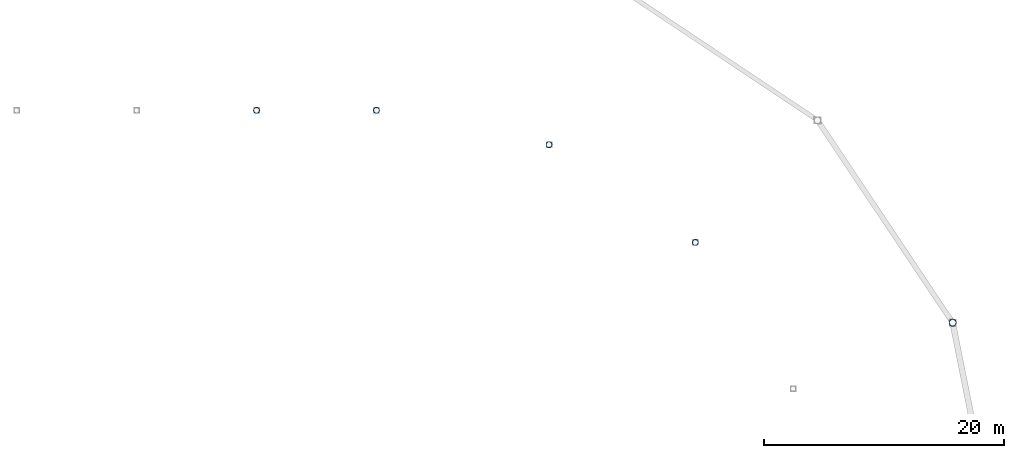
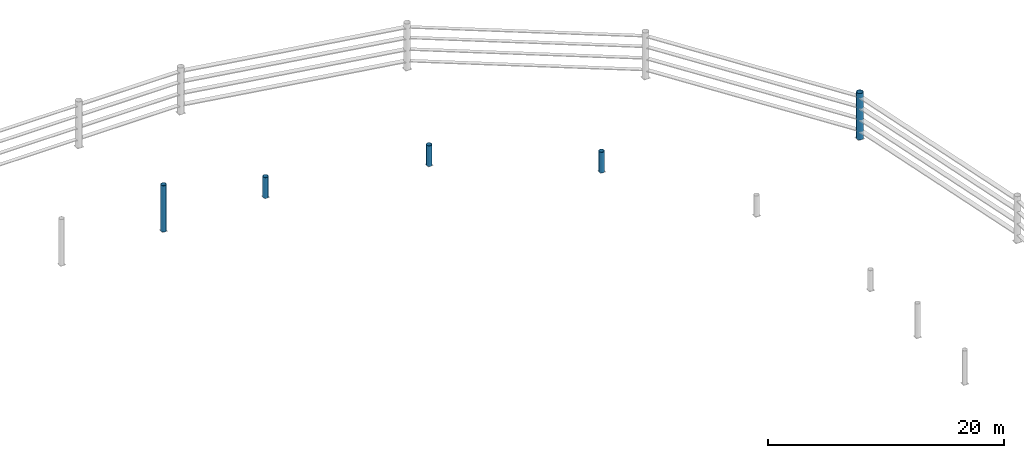
# One storey, part 13 of 29: 5 columns.
"""IFC4 building model written with IfcOpenShell, lengths in metres."""

from ifc_helpers import new_model, si_unit, direction, frame, origin, origin_2d, place, context, subcontext, project, spatial, hollow_circle, extrude, material, material_profile, profile_set, type_object, element, save


model = new_model("IFC4")

# Units and contexts
model_context = context("Model", 3, precision=1e-05, world=origin(), true_north=direction((0.0, 1.0)))
body_context = subcontext(model_context, "Body", "Model", "MODEL_VIEW")
ifc_project = project(units=[si_unit("LENGTHUNIT", "METRE"), si_unit("AREAUNIT", "SQUARE_METRE"), si_unit("VOLUMEUNIT", "CUBIC_METRE"), si_unit("PLANEANGLEUNIT", "RADIAN"), si_unit("MASSUNIT", "GRAM", prefix="KILO")], contexts=[model_context])

# Site, building, storey
site_placement = place(None, origin())
site = spatial("IfcSite", under=ifc_project, at=site_placement, CompositionType="ELEMENT")
building_placement = place(site_placement, origin())
building = spatial("IfcBuilding", under=site, at=building_placement, Name="Candeia Ridge Stadium", CompositionType="ELEMENT")
storey_placement = place(building_placement, frame((0.0, 0.0, 27.0)))
storey = spatial("IfcBuildingStorey", under=building, at=storey_placement, Name="L05", CompositionType="ELEMENT", Elevation=27.0)

# Columns
ifc_material = material(Name="Steel ASTM A572 Grade 50", Category="steel")
ifc_material_profile_1 = material_profile(ifc_material, hollow_circle(Radius=0.25390625, WallThickness=0.02197265625, at=origin_2d()), Name="CHS508x22", Category="steel")
ifc_profile_set_1 = profile_set([ifc_material_profile_1], Name="Steel ASTM A572 Grade 50")
column_type_1 = type_object("IfcColumnType", Name="Roof Inner Mast CHS508x22", PredefinedType="PILASTER", material=ifc_profile_set_1)
column_1_placement = place(storey_placement, frame((141.0, 132.60009765625, 0.0), z_axis=(0.0, 0.0, 1.0), x_axis=(1.0, 0.0, 0.0)))
element("IfcColumn", 1, at=column_1_placement, inside=storey, type_object=column_type_1, Name="Roof truss steel mast column BC-MD-00 L05", PredefinedType="PILASTER", context=body_context, shape_type="SweptSolid", body=[
    extrude(hollow_circle(Radius=0.25390625, WallThickness=0.02197265625, at=origin_2d()), origin(), (0.0, 0.0, 1.0), 2.135986328125),
])
column_2_placement = place(storey_placement, frame((131.0, 132.60009765625, 0.0), z_axis=(0.0, 0.0, 1.0), x_axis=(1.0, 0.0, 0.0)))
element("IfcColumn", 2, at=column_2_placement, inside=storey, type_object=column_type_1, Name="Roof truss steel mast column BC-MD-01 L05", PredefinedType="PILASTER", context=body_context, shape_type="SweptSolid", body=[
    extrude(hollow_circle(Radius=0.25390625, WallThickness=0.02197265625, at=origin_2d()), origin(), (0.0, 0.0, 1.0), 4.800048828125),
])
for number, where, z_axis, x_axis, name in (
    (3, (167.587158203125, 121.587158203125, 0.0), (0.0, 0.0, 1.0), (1.0, 0.0, 0.0), "Roof truss steel mast column BC-MD-34 L05"),
    (4, (155.388916015625, 129.73779296875, 0.0), (0.0, 0.0, 1.0), (1.0, 0.0, 0.0), "Roof truss steel mast column BC-MD-35 L05"),
):
    element("IfcColumn", number, at=place(storey_placement, frame(where, z_axis=z_axis, x_axis=x_axis)), inside=storey, type_object=column_type_1, Name=name, PredefinedType="PILASTER", context=body_context, shape_type="SweptSolid", body=[
        extrude(hollow_circle(Radius=0.25390625, WallThickness=0.02197265625, at=origin_2d()), origin(), (0.0, 0.0, 1.0), 2.135986328125),
    ])
ifc_material_profile_2 = material_profile(ifc_material, hollow_circle(Radius=0.304931640625, WallThickness=0.02490234375, at=origin_2d()), Name="CHS610x25", Category="steel")
ifc_profile_set_2 = profile_set([ifc_material_profile_2], Name="Steel ASTM A572 Grade 50")
column_type_2 = type_object("IfcColumnType", Name="Roof Mast Column CHS610x25", PredefinedType="PILASTER", material=ifc_profile_set_2)
column_3_placement = place(storey_placement, frame((189.041748046875, 114.899658203125, 0.0), z_axis=(0.0, 0.0, 1.0), x_axis=(1.0, 0.0, 0.0)))
element("IfcColumn", 5, at=column_3_placement, inside=storey, type_object=column_type_2, Name="Roof truss steel mast column BC-OU-33 L05", PredefinedType="PILASTER", context=body_context, shape_type="SweptSolid", body=[
    extrude(hollow_circle(Radius=0.304931640625, WallThickness=0.02490234375, at=origin_2d()), origin(), (0.0, 0.0, 1.0), 4.800048828125),
])

save(model, "model.ifc")
